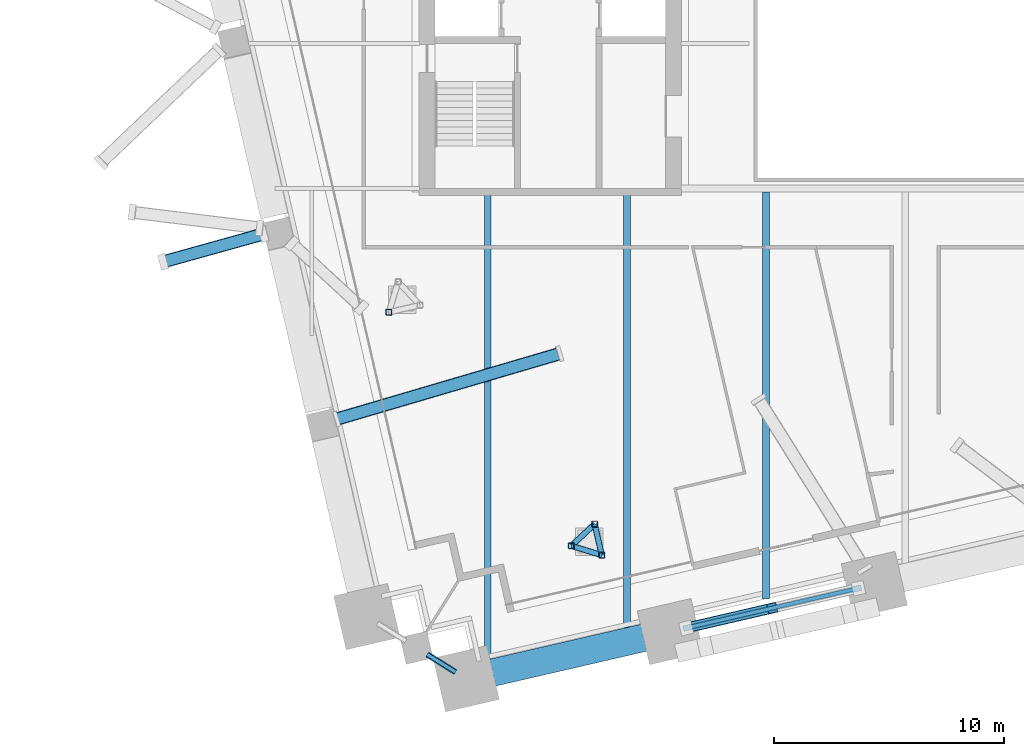
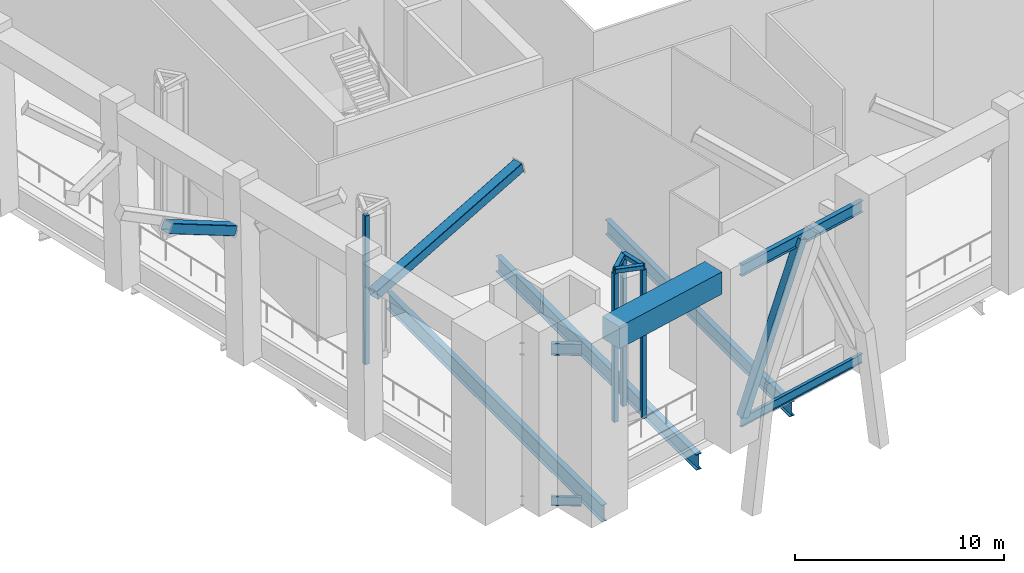
# One storey, part 2 of 25: 10 members, 8 beams.
"""IFC4 building model written with IfcOpenShell, lengths in metres."""

from ifc_helpers import new_model, si_unit, direction, frame, origin, origin_2d, place, context, subcontext, project, spatial, rectangle, hollow_rectangle, i_section, extrude, material, material_profile, profile_set, type_object, element, save


model = new_model("IFC4")

# Units and contexts
model_context = context("Model", 3, precision=1e-05, world=origin(), true_north=direction((0.0, 1.0)))
body_context = subcontext(model_context, "Body", "Model", "MODEL_VIEW")
ifc_project = project(units=[si_unit("LENGTHUNIT", "METRE"), si_unit("AREAUNIT", "SQUARE_METRE"), si_unit("VOLUMEUNIT", "CUBIC_METRE"), si_unit("PLANEANGLEUNIT", "RADIAN"), si_unit("MASSUNIT", "GRAM", prefix="KILO")], contexts=[model_context])

# Site, building, storey
site_placement = place(None, origin())
site = spatial("IfcSite", under=ifc_project, at=site_placement, CompositionType="ELEMENT")
building_placement = place(site_placement, origin())
building = spatial("IfcBuilding", under=site, at=building_placement, Name="Ogive Exchange Tower", CompositionType="ELEMENT")
storey_placement = place(building_placement, frame((0.0, 0.0, 226.199951171875)))
storey = spatial("IfcBuildingStorey", under=building, at=storey_placement, Name="L50", CompositionType="ELEMENT", Elevation=226.199951171875)

# Beams
ifc_material_1 = material(Name="Steel ASTM A992 Gr50", Category="steel")
ifc_material_profile_1 = material_profile(ifc_material_1, i_section(OverallWidth=0.1669921875, OverallDepth=0.535888671875, WebThickness=0.01025390625, FlangeThickness=0.0166015625, at=origin_2d()), Name="W530x85")
ifc_profile_set_1 = profile_set([ifc_material_profile_1], Name="Steel ASTM A992 Gr50")
beam_type_1 = type_object("IfcBeamType", Name="Belt truss bottom chord W530x85", PredefinedType="BEAM", material=ifc_profile_set_1)
beam_1_placement = place(storey_placement, frame((-10.21728515625, -21.57177734375, 0.400146484375), z_axis=(0.974368388194, 0.224958316335, 0.0), x_axis=(-0.224958316335, 0.974368388194, 0.0)))
element("IfcBeam", 1, at=beam_1_placement, inside=storey, type_object=beam_type_1, Name="Belt truss bottom chord 2", PredefinedType="BEAM", context=body_context, shape_type="SweptSolid", body=[
    extrude(i_section(OverallWidth=0.1669921875, OverallDepth=0.535888671875, WebThickness=0.01025390625, FlangeThickness=0.0166015625, at=origin_2d()), origin(), (0.0, 0.0, 1.0), 7.93994140625),
])
beam_2_placement = place(storey_placement, frame((-21.343017578125, -22.69091796875, 0.400146484375), z_axis=(0.848074041941, -0.529877740036, 0.0), x_axis=(0.529877740036, 0.848074041941, 0.0)))
element("IfcBeam", 2, at=beam_2_placement, inside=storey, type_object=beam_type_1, Name="Belt truss bottom chord 34", PredefinedType="BEAM", context=body_context, shape_type="SweptSolid", body=[
    extrude(i_section(OverallWidth=0.1669921875, OverallDepth=0.535888671875, WebThickness=0.01025390625, FlangeThickness=0.0166015625, at=origin_2d()), origin(), (0.0, 0.0, 1.0), 1.448486328125),
])

# Member
ifc_material_2 = material(Name="Steel ASTM A1085 Gr A", Category="steel")
ifc_material_profile_2 = material_profile(ifc_material_2, hollow_rectangle(XDim=0.45703125, YDim=0.45703125, WallThickness=0.01904296875, InnerFilletRadius=0.01904296875, OuterFilletRadius=0.0380859375, at=origin_2d()), Name="HSS457.2x457.2x19")
ifc_profile_set_2 = profile_set([ifc_material_profile_2], Name="Steel ASTM A1085 Gr A")
member_type_1 = type_object("IfcMemberType", Name="Belt truss diagonal HSS457.2x457.2x19", PredefinedType="BRACE", material=ifc_profile_set_2)
member_1_placement = place(storey_placement, frame((-10.09130859375, -21.54248046875, 0.69091796875), z_axis=(0.396545264407, 0.091530346129, 0.913440774771), x_axis=(-0.224905932996, 0.974380480769, 0.0)))
element("IfcMember", 3, at=member_1_placement, inside=storey, type_object=member_type_1, Name="Belt truss diagonal 2a", PredefinedType="BRACE", context=body_context, shape_type="SweptSolid", body=[
    extrude(hollow_rectangle(XDim=0.45703125, YDim=0.45703125, WallThickness=0.01904296875, InnerFilletRadius=0.01904296875, OuterFilletRadius=0.0380859375, at=origin_2d()), origin(), (0.0, 0.0, 1.0), 9.43701171875),
])

# Beams
ifc_material_profile_3 = material_profile(ifc_material_1, i_section(OverallWidth=0.25390625, OverallDepth=0.677978515625, WebThickness=0.01171875, FlangeThickness=0.016357421875, at=origin_2d()), Name="W690x125")
ifc_profile_set_3 = profile_set([ifc_material_profile_3], Name="Steel ASTM A992 Gr50")
beam_type_2 = type_object("IfcBeamType", Name="Belt truss top chord W690x125", PredefinedType="BEAM", material=ifc_profile_set_3)
beam_3_placement = place(storey_placement, frame((-10.21728515625, -21.57177734375, 9.31103515625), z_axis=(0.974368388194, 0.224958316335, 0.0), x_axis=(-0.224958316335, 0.974368388194, 0.0)))
element("IfcBeam", 4, at=beam_3_placement, inside=storey, type_object=beam_type_2, Name="Belt truss top chord 2", PredefinedType="BEAM", context=body_context, shape_type="SweptSolid", body=[
    extrude(i_section(OverallWidth=0.25390625, OverallDepth=0.677978515625, WebThickness=0.01171875, FlangeThickness=0.016357421875, at=origin_2d()), origin(), (0.0, 0.0, 1.0), 7.93994140625),
])
beam_4_placement = place(storey_placement, frame((-21.343017578125, -22.69091796875, 9.31103515625), z_axis=(0.848074041941, -0.529877740036, 0.0), x_axis=(0.529877740036, 0.848074041941, 0.0)))
element("IfcBeam", 5, at=beam_4_placement, inside=storey, type_object=beam_type_2, Name="Belt truss top chord 34", PredefinedType="BEAM", context=body_context, shape_type="SweptSolid", body=[
    extrude(i_section(OverallWidth=0.25390625, OverallDepth=0.677978515625, WebThickness=0.01171875, FlangeThickness=0.016357421875, at=origin_2d()), origin(), (0.0, 0.0, 1.0), 1.448486328125),
])

# Members
ifc_material_profile_4 = material_profile(ifc_material_2, hollow_rectangle(XDim=0.55908203125, YDim=0.55908203125, WallThickness=0.022216796875, InnerFilletRadius=0.022216796875, OuterFilletRadius=0.04443359375, at=origin_2d()), Name="HSS558.8x558.8x22.2")
ifc_profile_set_4 = profile_set([ifc_material_profile_4], Name="Steel ASTM A1085 Gr A")
member_type_2 = type_object("IfcMemberType", Name="Block-change strut HSS558.8x558.8x22.2", PredefinedType="STRUT", material=ifc_profile_set_4)
member_2_placement = place(storey_placement, frame((-28.46923828125, -4.4267578125, 7.714599609375), z_axis=(-0.851736795486, -0.236609561985, 0.467504381149), x_axis=(0.267660675008, -0.963513239688, 0.0)))
element("IfcMember", 6, at=member_2_placement, inside=storey, type_object=member_type_2, Name="Block-change strut 1", PredefinedType="STRUT", context=body_context, shape_type="SweptSolid", body=[
    extrude(hollow_rectangle(XDim=0.55908203125, YDim=0.55908203125, WallThickness=0.022216796875, InnerFilletRadius=0.022216796875, OuterFilletRadius=0.04443359375, at=origin_2d()), origin(), (0.0, 0.0, 1.0), 5.083740234375),
])
member_3_placement = place(storey_placement, frame((-25.27392578125, -12.466796875, 7.683837890625), z_axis=(0.933629557756, 0.274282391081, 0.230445262105), x_axis=(-0.281868808381, 0.959452956044, 0.0)))
element("IfcMember", 7, at=member_3_placement, inside=storey, type_object=member_type_2, Name="Block-change strut 3", PredefinedType="STRUT", context=body_context, shape_type="SweptSolid", body=[
    extrude(hollow_rectangle(XDim=0.55908203125, YDim=0.55908203125, WallThickness=0.022216796875, InnerFilletRadius=0.022216796875, OuterFilletRadius=0.04443359375, at=origin_2d()), origin(), (0.0, 0.0, 1.0), 10.364501953125),
])

# Beams
ifc_material_profile_5 = material_profile(ifc_material_1, i_section(OverallWidth=0.300048828125, OverallDepth=0.97998046875, WebThickness=0.0166015625, FlangeThickness=0.026123046875, at=origin_2d()), Name="W1000x249")
ifc_profile_set_5 = profile_set([ifc_material_profile_5], Name="Steel ASTM A992 Gr50")
beam_type_3 = type_object("IfcBeamType", Name="Floor beam W1000x249", PredefinedType="JOIST", material=ifc_profile_set_5)
beam_5_placement = place(storey_placement, frame((-18.7138671875, -23.221435546875, -0.93994140625), z_axis=(0.0, 1.0, 0.0), x_axis=(-1.0, 0.0, 0.0)))
element("IfcBeam", 8, at=beam_5_placement, inside=storey, type_object=beam_type_3, Name="Floor beam", PredefinedType="JOIST", context=body_context, shape_type="SweptSolid", body=[
    extrude(i_section(OverallWidth=0.300048828125, OverallDepth=0.97998046875, WebThickness=0.0166015625, FlangeThickness=0.026123046875, at=origin_2d()), origin(), (0.0, 0.0, 1.0), 20.621337890625),
])
ifc_material_profile_6 = material_profile(ifc_material_1, i_section(OverallWidth=0.2919921875, OverallDepth=0.845947265625, WebThickness=0.015380859375, FlangeThickness=0.0244140625, at=origin_2d()), Name="W840x210")
ifc_profile_set_6 = profile_set([ifc_material_profile_6], Name="Steel ASTM A992 Gr50")
beam_type_4 = type_object("IfcBeamType", Name="Floor beam W840x210", PredefinedType="JOIST", material=ifc_profile_set_6)
beam_6_placement = place(storey_placement, frame((-6.619873046875, -20.279296875, -0.873046875), z_axis=(0.0, 1.0, 0.0), x_axis=(-1.0, 0.0, 0.0)))
element("IfcBeam", 9, at=beam_6_placement, inside=storey, type_object=beam_type_4, Name="Floor beam", PredefinedType="JOIST", context=body_context, shape_type="SweptSolid", body=[
    extrude(i_section(OverallWidth=0.2919921875, OverallDepth=0.845947265625, WebThickness=0.015380859375, FlangeThickness=0.0244140625, at=origin_2d()), origin(), (0.0, 0.0, 1.0), 17.684326171875),
])
ifc_material_profile_7 = material_profile(ifc_material_1, i_section(OverallWidth=0.304931640625, OverallDepth=0.9189453125, WebThickness=0.017333984375, FlangeThickness=0.02783203125, at=origin_2d()), Name="W920x253")
ifc_profile_set_7 = profile_set([ifc_material_profile_7], Name="Steel ASTM A992 Gr50")
beam_type_5 = type_object("IfcBeamType", Name="Floor beam W920x253", PredefinedType="JOIST", material=ifc_profile_set_7)
beam_7_placement = place(storey_placement, frame((-12.6669921875, -21.8251953125, -0.909423828125), z_axis=(0.0, 1.0, 0.0), x_axis=(-1.0, 0.0, 0.0)))
element("IfcBeam", 10, at=beam_7_placement, inside=storey, type_object=beam_type_5, Name="Floor beam", PredefinedType="JOIST", context=body_context, shape_type="SweptSolid", body=[
    extrude(i_section(OverallWidth=0.304931640625, OverallDepth=0.9189453125, WebThickness=0.017333984375, FlangeThickness=0.02783203125, at=origin_2d()), origin(), (0.0, 0.0, 1.0), 19.22509765625),
])
ifc_material_3 = material(Name="Precast concrete C70/85 (limestone faced)", Category="masonry")
ifc_material_profile_8 = material_profile(ifc_material_3, rectangle(XDim=1.199951171875, YDim=1.300048828125, at=origin_2d()), Name="1200 x 1300")
ifc_profile_set_8 = profile_set([ifc_material_profile_8], Name="Precast concrete C70/85 (limestone faced)")
beam_type_6 = type_object("IfcBeamType", Name="Precast portal header beam 1200 x 1300 C70/85", PredefinedType="BEAM", material=ifc_profile_set_8)
beam_8_placement = place(storey_placement, frame((-18.49951171875, -23.48388671875, 9.699951171875), z_axis=(0.974363105077, 0.224981198024, 0.0), x_axis=(-0.224981198024, 0.974363105077, 0.0)))
element("IfcBeam", 11, at=beam_8_placement, inside=storey, type_object=beam_type_6, Name="Slot header beam 1", PredefinedType="BEAM", context=body_context, shape_type="SweptSolid", body=[
    extrude(rectangle(XDim=1.199951171875, YDim=1.300048828125, at=origin_2d()), origin(), (0.0, 0.0, 1.0), 6.739990234375),
])

# Members
ifc_material_profile_9 = material_profile(ifc_material_2, hollow_rectangle(XDim=0.25390625, YDim=0.25390625, WallThickness=0.0126953125, InnerFilletRadius=0.0126953125, OuterFilletRadius=0.025390625, at=origin_2d()), Name="HSS254x254x12.7")
ifc_profile_set_9 = profile_set([ifc_material_profile_9], Name="Steel ASTM A1085 Gr A")
member_type_3 = type_object("IfcMemberType", Name="Turbine cage mast HSS254x254x12.7", PredefinedType="POST", material=ifc_profile_set_9)
for number, where, z_axis, x_axis, name in (
    (12, (-14.068115234375, -17.028564453125, 0.0), (0.0, 0.0, 1.0), (1.0, 0.0, 0.0), "Turbine cage mast 01.1"),
    (13, (-15.08154296875, -17.9736328125, 0.0), (0.0, 0.0, 1.0), (1.0, 0.0, 0.0), "Turbine cage mast 01.2"),
    (14, (-13.75634765625, -18.37890625, 0.0), (0.0, 0.0, 1.0), (1.0, 0.0, 0.0), "Turbine cage mast 01.3"),
    (15, (-23.01025390625, -7.82568359375, 0.0), (0.0, 0.0, 1.0), (1.0, 0.0, 0.0), "Turbine cage mast 10.3"),
):
    element("IfcMember", number, at=place(storey_placement, frame(where, z_axis=z_axis, x_axis=x_axis)), inside=storey, type_object=member_type_3, Name=name, PredefinedType="POST", context=body_context, shape_type="SweptSolid", body=[
        extrude(hollow_rectangle(XDim=0.25390625, YDim=0.25390625, WallThickness=0.0126953125, InnerFilletRadius=0.0126953125, OuterFilletRadius=0.025390625, at=origin_2d()), origin(), (0.0, 0.0, 1.0), 8.696044921875),
    ])
ifc_material_profile_10 = material_profile(ifc_material_2, hollow_rectangle(XDim=0.25390625, YDim=0.25390625, WallThickness=0.0126953125, InnerFilletRadius=0.0126953125, OuterFilletRadius=0.025390625, at=origin_2d()), Name="HSS254x254x12.7")
ifc_profile_set_10 = profile_set([ifc_material_profile_10], Name="Steel ASTM A1085 Gr A")
member_type_4 = type_object("IfcMemberType", Name="Turbine cage ring member HSS254x254x12.7", PredefinedType="BRACE", material=ifc_profile_set_10)
for number, where, z_axis, x_axis, name in (
    (16, (-14.068115234375, -17.028564453125, 8.822998046875), (-0.731342288184, -0.682010599268, 0.0), (0.682010599268, -0.731342288184, 0.0), "Turbine cage ring 01.1"),
    (17, (-15.08154296875, -17.9736328125, 8.822998046875), (0.956280426028, -0.292451272514, 0.0), (0.292451272514, 0.956280426028, 0.0), "Turbine cage ring 01.2"),
):
    element("IfcMember", number, at=place(storey_placement, frame(where, z_axis=z_axis, x_axis=x_axis)), inside=storey, type_object=member_type_4, Name=name, PredefinedType="BRACE", context=body_context, shape_type="SweptSolid", body=[
        extrude(hollow_rectangle(XDim=0.25390625, YDim=0.25390625, WallThickness=0.0126953125, InnerFilletRadius=0.0126953125, OuterFilletRadius=0.025390625, at=origin_2d()), origin(), (0.0, 0.0, 1.0), 1.3857421875),
    ])
member_4_placement = place(storey_placement, frame((-13.75634765625, -18.37890625, 8.822998046875), z_axis=(-0.224962433185, 0.974367437703, 0.0), x_axis=(-0.974367437703, -0.224962433185, 0.0)))
element("IfcMember", 18, at=member_4_placement, inside=storey, type_object=member_type_4, Name="Turbine cage ring 01.3", PredefinedType="BRACE", context=body_context, shape_type="SweptSolid", body=[
    extrude(hollow_rectangle(XDim=0.25390625, YDim=0.25390625, WallThickness=0.0126953125, InnerFilletRadius=0.0126953125, OuterFilletRadius=0.025390625, at=origin_2d()), origin(), (0.0, 0.0, 1.0), 1.385986328125),
])

save(model, "model.ifc")
